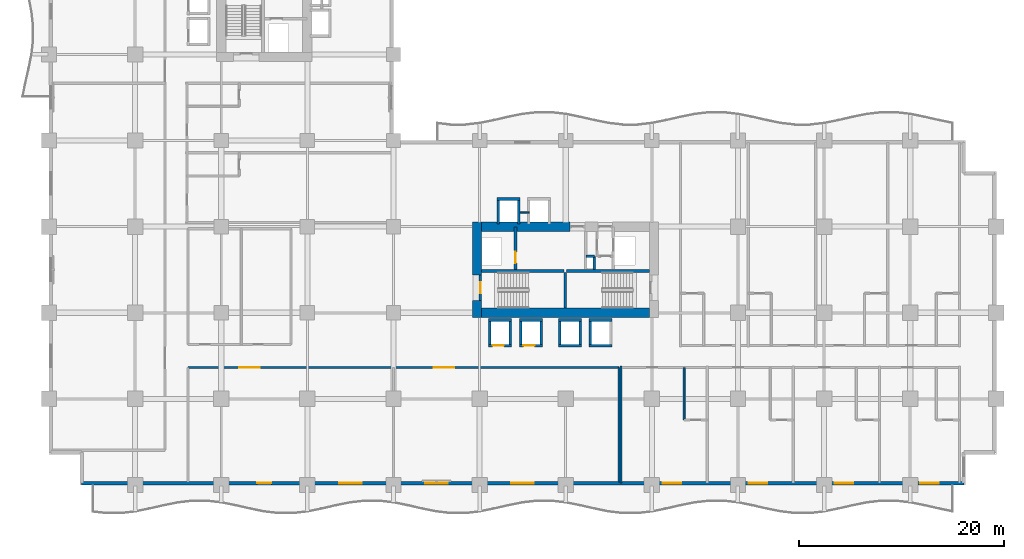
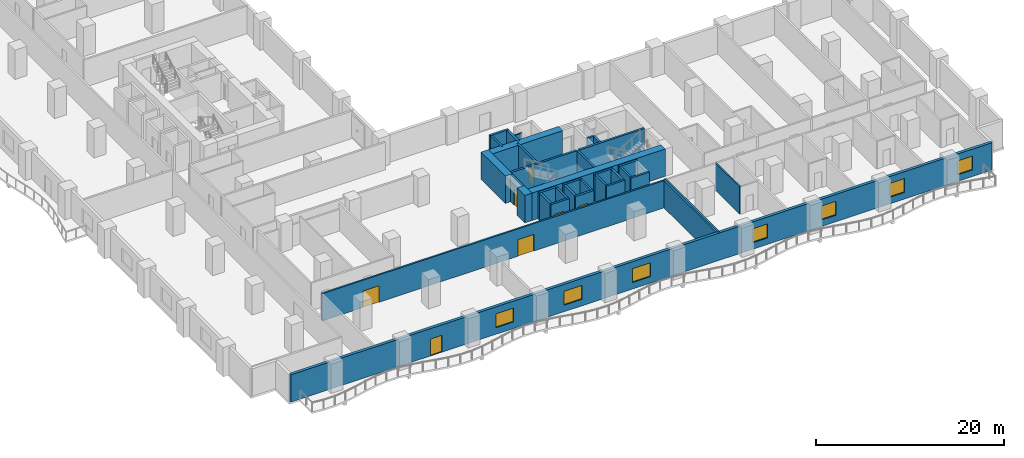
# One storey, part 5 of 18: 35 walls, 7 doors, 7 windows, 14 openings.
"""IFC4 building model written with IfcOpenShell, lengths in metres."""

from ifc_helpers import new_model, si_unit, direction, frame, frame_2d, origin, place, context, subcontext, project, spatial, rectangle, extrude, material, layer, layer_set, type_object, element, fill, save


model = new_model("IFC4")

# Units and contexts
model_context = context("Model", 3, precision=1e-05, world=origin(), true_north=direction((0.0, 1.0)))
body_context = subcontext(model_context, "Body", "Model", "MODEL_VIEW")
ifc_project = project(units=[si_unit("LENGTHUNIT", "METRE"), si_unit("AREAUNIT", "SQUARE_METRE"), si_unit("VOLUMEUNIT", "CUBIC_METRE"), si_unit("PLANEANGLEUNIT", "RADIAN"), si_unit("MASSUNIT", "GRAM", prefix="KILO")], contexts=[model_context])

# Site, building, storey
site_placement = place(None, origin())
site = spatial("IfcSite", under=ifc_project, at=site_placement, CompositionType="ELEMENT")
building_placement = place(site_placement, origin())
building = spatial("IfcBuilding", under=site, at=building_placement, Name="Koriwani Terraces Tower", CompositionType="ELEMENT")
storey_placement = place(building_placement, frame((0.0, 0.0, 81.39990234375)))
storey = spatial("IfcBuildingStorey", under=building, at=storey_placement, Name="L19", CompositionType="ELEMENT", Elevation=81.39990234375)

# Walls
ifc_material_1 = material(Name="Concrete C60/75", Category="concrete")
ifc_layer_1 = layer(ifc_material_1, 0.89990234375, Name="Concrete C60/75")
ifc_layer_set_1 = layer_set([ifc_layer_1], Name="Concrete C60/75")
wall_type_1 = type_object("IfcWallType", Name="WALL_CORE_RC_900", PredefinedType="SHEAR", material=ifc_layer_set_1)
wall_1_placement = place(storey_placement, frame((41.75, 16.35009765625, 0.0), z_axis=(0.0, 0.0, 1.0), x_axis=(0.0, 1.0, 0.0)))
element("IfcWall", 1, at=wall_1_placement, inside=storey, type_object=wall_type_1, Name="L19 East Split Core Shear Wall W1", PredefinedType="SHEAR", context=body_context, shape_type="SweptSolid", body=[
    extrude(rectangle(XDim=1.64990234375, YDim=0.89990234375, at=frame_2d((0.824951171875, 0.0))), origin(), (0.0, 0.0, 1.0), 3.550048828125),
])
wall_2_placement = place(storey_placement, frame((41.75, 20.5, 0.0), z_axis=(0.0, 0.0, 1.0), x_axis=(0.0, 1.0, 0.0)))
element("IfcWall", 2, at=wall_2_placement, inside=storey, type_object=wall_type_1, Name="L19 East Split Core Shear Wall W2", PredefinedType="SHEAR", context=body_context, shape_type="SweptSolid", body=[
    extrude(rectangle(XDim=5.14990234375, YDim=0.89990234375, at=frame_2d((2.574951171875, 0.0))), origin(), (0.0, 0.0, 1.0), 3.550048828125),
])
wall_3_placement = place(storey_placement, frame((42.199951171875, 16.800048828125, 0.0), z_axis=(0.0, 0.0, 1.0), x_axis=(1.0, 0.0, 0.0)))
element("IfcWall", 3, at=wall_3_placement, inside=storey, type_object=wall_type_1, Name="L19 East Split Core Shear Wall S1", PredefinedType="SHEAR", context=body_context, shape_type="SweptSolid", body=[
    extrude(rectangle(XDim=16.35009765625, YDim=0.89990234375, at=frame_2d((8.175048828125, 0.0))), origin(), (0.0, 0.0, 1.0), 3.550048828125),
])
wall_4_placement = place(storey_placement, frame((42.199951171875, 25.199951171875, 0.0), z_axis=(0.0, 0.0, 1.0), x_axis=(1.0, 0.0, 0.0)))
element("IfcWall", 4, at=wall_4_placement, inside=storey, type_object=wall_type_1, Name="L19 East Split Core Shear Wall N1", PredefinedType="SHEAR", context=body_context, shape_type="SweptSolid", body=[
    extrude(rectangle(XDim=8.60009765625, YDim=0.89990234375, at=frame_2d((4.300048828125, 0.0))), origin(), (0.0, 0.0, 1.0), 3.550048828125),
])

# Wall, openings, doors
ifc_material_2 = material(Name="Autoclaved Cellular Concrete Blockwork", Category="masonry")
ifc_layer_2 = layer(ifc_material_2, 0.199951171875, Name="Autoclaved Cellular Concrete Blockwork")
ifc_layer_set_2 = layer_set([ifc_layer_2], Name="Autoclaved Cellular Concrete Blockwork")
wall_type_2 = type_object("IfcWallType", Name="WALL_CORRIDOR_200", PredefinedType="PARTITIONING", material=ifc_layer_set_2)
wall_5_placement = place(storey_placement, frame((13.550048828125, 11.449951171875, 0.0), z_axis=(0.0, 0.0, 1.0), x_axis=(1.0, 0.0, 0.0)))
wall_5 = element("IfcWall", 5, at=wall_5_placement, inside=storey, type_object=wall_type_2, Name="L19 Interior Wall WZ1CLB-L19", PredefinedType="PARTITIONING", context=body_context, shape_type="SweptSolid", body=[
    extrude(rectangle(XDim=42.050048828125, YDim=0.199951171875, at=frame_2d((21.02490234375, 0.0))), origin(), (0.0, 0.0, 1.0), 3.550048828125),
])
opening_1_placement = place(wall_5_placement, frame((5.0, 0.0, 0.0)))
opening_1 = element("IfcOpeningElement", 6, at=opening_1_placement, cuts=wall_5, Name="Opening D-02", PredefinedType="OPENING", context=body_context, shape_type="SweptSolid", body=[
    extrude(rectangle(XDim=2.0, YDim=2.14990234375, at=frame_2d((1.0, 1.074951171875))), frame((0.0, 0.10986328125, 0.0), z_axis=(0.0, -1.0, 0.0), x_axis=(1.0, 0.0, 0.0)), (0.0, 0.0, 1.0), 0.219970703125),
])
opening_2_placement = place(wall_5_placement, frame((24.0, 0.0, 0.0)))
opening_2 = element("IfcOpeningElement", 7, at=opening_2_placement, cuts=wall_5, Name="Opening D-02", PredefinedType="OPENING", context=body_context, shape_type="SweptSolid", body=[
    extrude(rectangle(XDim=2.0, YDim=2.14990234375, at=frame_2d((1.0, 1.074951171875))), frame((0.0, 0.10986328125, 0.0), z_axis=(0.0, -1.0, 0.0), x_axis=(1.0, 0.0, 0.0)), (0.0, 0.0, 1.0), 0.219970703125),
])
ifc_material_3 = material(Name="Anodised Bronze Aluminium", Category="aluminium")
door_type_1 = type_object("IfcDoorType", Name="DOOR_ENTRANCE_DOUBLE_2000X2400", OperationType="NOTDEFINED", PredefinedType="DOOR", material=ifc_material_3)
door_1_placement = place(opening_1_placement, origin())
door_1 = element("IfcDoor", 8, at=door_1_placement, inside=storey, type_object=door_type_1, Name="L19 Executive Club Lounge Door", OperationType="SINGLE_SWING_LEFT", OverallHeight=2.14990234375, OverallWidth=2.0, PredefinedType="DOOR", context=body_context, shape_type="SweptSolid", body=[
    extrude(rectangle(XDim=2.0, YDim=2.14990234375, at=frame_2d((1.0, 1.074951171875))), frame((0.0, 0.02490234375, 0.0), z_axis=(0.0, -1.0, 0.0), x_axis=(1.0, 0.0, 0.0)), (0.0, 0.0, 1.0), 0.050048828125),
])
fill(opening_1, door_1)
door_2_placement = place(opening_2_placement, origin())
door_2 = element("IfcDoor", 9, at=door_2_placement, inside=storey, type_object=door_type_1, Name="L19 Altitude Dining Salon Door", OperationType="SINGLE_SWING_RIGHT", OverallHeight=2.14990234375, OverallWidth=2.0, PredefinedType="DOOR", context=body_context, shape_type="SweptSolid", body=[
    extrude(rectangle(XDim=2.0, YDim=2.14990234375, at=frame_2d((1.0, 1.074951171875))), frame((0.0, 0.02490234375, 0.0), z_axis=(0.0, -1.0, 0.0), x_axis=(1.0, 0.0, 0.0)), (0.0, 0.0, 1.0), 0.050048828125),
])
fill(opening_2, door_2)

# Walls
ifc_layer_3 = layer(ifc_material_2, 0.219970703125, Name="Autoclaved Cellular Concrete Blockwork")
ifc_layer_set_3 = layer_set([ifc_layer_3], Name="Autoclaved Cellular Concrete Blockwork")
wall_type_3 = type_object("IfcWallType", Name="WALL_DEMISING_220", PredefinedType="PARTITIONING", material=ifc_layer_set_3)
wall_6_placement = place(storey_placement, frame((55.60009765625, 0.300048828125, 0.0), z_axis=(0.0, 0.0, 1.0), x_axis=(0.0, 1.0, 0.0)))
element("IfcWall", 10, at=wall_6_placement, inside=storey, type_object=wall_type_3, Name="L19 Interior Wall WZ1CLBE-L19", PredefinedType="PARTITIONING", context=body_context, shape_type="SweptSolid", body=[
    extrude(rectangle(XDim=11.14990234375, YDim=0.219970703125, at=frame_2d((5.574951171875, 0.0))), origin(), (0.0, 0.0, 1.0), 3.550048828125),
])
wall_7_placement = place(storey_placement, frame((55.800048828125, 0.199951171875, 0.0), z_axis=(0.0, 0.0, 1.0), x_axis=(0.0, 1.0, 0.0)))
element("IfcWall", 11, at=wall_7_placement, inside=storey, type_object=wall_type_3, Name="L19 Interior Wall WDEM-L19-SW-0", PredefinedType="PARTITIONING", context=body_context, shape_type="SweptSolid", body=[
    extrude(rectangle(XDim=11.429931640625, YDim=0.219970703125, at=frame_2d((5.71484375, 0.0))), origin(), (0.0, 0.0, 1.0), 3.550048828125),
])

# Wall, openings, door, windows
ifc_material_4 = material(Name="Concrete C50/60", Category="concrete")
ifc_layer_4 = layer(ifc_material_4, 0.35009765625, Name="Concrete C50/60")
ifc_layer_set_4 = layer_set([ifc_layer_4], Name="Concrete C50/60")
wall_type_4 = type_object("IfcWallType", Name="WALL_EXT_BRUTALIST_350", PredefinedType="STANDARD", material=ifc_layer_set_4)
wall_8_placement = place(storey_placement, frame((89.22509765625, 0.175048828125, 0.0), z_axis=(0.0, 0.0, 1.0), x_axis=(-1.0, 0.0, 0.0)))
wall_8 = element("IfcWall", 12, at=wall_8_placement, inside=storey, type_object=wall_type_4, Name="L19 Fair-Faced Brutalist Exterior Wall (S)", PredefinedType="STANDARD", context=body_context, shape_type="SweptSolid", body=[
    extrude(rectangle(XDim=86.050048828125, YDim=0.35009765625, at=frame_2d((43.02490234375, 0.0))), origin(), (0.0, 0.0, 1.0), 3.550048828125),
])
opening_3_placement = place(wall_8_placement, frame((67.52490234375, 0.0, 0.0)))
opening_3 = element("IfcOpeningElement", 13, at=opening_3_placement, cuts=wall_8, Name="Opening D-09", PredefinedType="OPENING", context=body_context, shape_type="SweptSolid", body=[
    extrude(rectangle(XDim=1.39990234375, YDim=2.199951171875, at=frame_2d((0.699951171875, 1.10009765625))), frame((0.0, 0.18505859375, 0.0), z_axis=(0.0, -1.0, 0.0), x_axis=(1.0, 0.0, 0.0)), (0.0, 0.0, 1.0), 0.3701171875),
])
opening_4_placement = place(wall_8_placement, frame((58.72509765625, 0.0, 0.85009765625)))
opening_4 = element("IfcOpeningElement", 14, at=opening_4_placement, cuts=wall_8, Name="Opening W-01", PredefinedType="OPENING", context=body_context, shape_type="SweptSolid", body=[
    extrude(rectangle(XDim=2.199951171875, YDim=1.800048828125, at=frame_2d((1.10009765625, 0.89990234375))), frame((0.0, 0.18505859375, 0.0), z_axis=(0.0, -1.0, 0.0), x_axis=(1.0, 0.0, 0.0)), (0.0, 0.0, 1.0), 0.3701171875),
])
opening_5_placement = place(wall_8_placement, frame((50.324951171875, 0.0, 0.85009765625)))
opening_5 = element("IfcOpeningElement", 15, at=opening_5_placement, cuts=wall_8, Name="Opening W-01", PredefinedType="OPENING", context=body_context, shape_type="SweptSolid", body=[
    extrude(rectangle(XDim=2.199951171875, YDim=1.800048828125, at=frame_2d((1.10009765625, 0.89990234375))), frame((0.0, 0.18505859375, 0.0), z_axis=(0.0, -1.0, 0.0), x_axis=(1.0, 0.0, 0.0)), (0.0, 0.0, 1.0), 0.3701171875),
])
opening_6_placement = place(wall_8_placement, frame((41.925048828125, 0.0, 0.85009765625)))
opening_6 = element("IfcOpeningElement", 16, at=opening_6_placement, cuts=wall_8, Name="Opening W-01", PredefinedType="OPENING", context=body_context, shape_type="SweptSolid", body=[
    extrude(rectangle(XDim=2.199951171875, YDim=1.800048828125, at=frame_2d((1.10009765625, 0.89990234375))), frame((0.0, 0.18505859375, 0.0), z_axis=(0.0, -1.0, 0.0), x_axis=(1.0, 0.0, 0.0)), (0.0, 0.0, 1.0), 0.3701171875),
])
opening_7_placement = place(wall_8_placement, frame((27.574951171875, 0.0, 0.85009765625)))
opening_7 = element("IfcOpeningElement", 17, at=opening_7_placement, cuts=wall_8, Name="Opening W-04", PredefinedType="OPENING", context=body_context, shape_type="SweptSolid", body=[
    extrude(rectangle(XDim=1.800048828125, YDim=1.800048828125, at=frame_2d((0.89990234375, 0.89990234375))), frame((0.0, 0.18505859375, 0.0), z_axis=(0.0, -1.0, 0.0), x_axis=(1.0, 0.0, 0.0)), (0.0, 0.0, 1.0), 0.3701171875),
])
opening_8_placement = place(wall_8_placement, frame((19.175048828125, 0.0, 0.85009765625)))
opening_8 = element("IfcOpeningElement", 18, at=opening_8_placement, cuts=wall_8, Name="Opening W-04", PredefinedType="OPENING", context=body_context, shape_type="SweptSolid", body=[
    extrude(rectangle(XDim=1.800048828125, YDim=1.800048828125, at=frame_2d((0.89990234375, 0.89990234375))), frame((0.0, 0.18505859375, 0.0), z_axis=(0.0, -1.0, 0.0), x_axis=(1.0, 0.0, 0.0)), (0.0, 0.0, 1.0), 0.3701171875),
])
opening_9_placement = place(wall_8_placement, frame((10.77490234375, 0.0, 0.85009765625)))
opening_9 = element("IfcOpeningElement", 19, at=opening_9_placement, cuts=wall_8, Name="Opening W-04", PredefinedType="OPENING", context=body_context, shape_type="SweptSolid", body=[
    extrude(rectangle(XDim=1.800048828125, YDim=1.800048828125, at=frame_2d((0.89990234375, 0.89990234375))), frame((0.0, 0.18505859375, 0.0), z_axis=(0.0, -1.0, 0.0), x_axis=(1.0, 0.0, 0.0)), (0.0, 0.0, 1.0), 0.3701171875),
])
opening_10_placement = place(wall_8_placement, frame((2.425048828125, 0.0, 0.85009765625)))
opening_10 = element("IfcOpeningElement", 20, at=opening_10_placement, cuts=wall_8, Name="Opening W-04", PredefinedType="OPENING", context=body_context, shape_type="SweptSolid", body=[
    extrude(rectangle(XDim=1.800048828125, YDim=1.800048828125, at=frame_2d((0.89990234375, 0.89990234375))), frame((0.0, 0.18505859375, 0.0), z_axis=(0.0, -1.0, 0.0), x_axis=(1.0, 0.0, 0.0)), (0.0, 0.0, 1.0), 0.3701171875),
])
door_type_2 = type_object("IfcDoorType", Name="DOOR_BALCONY_GLAZED_1400X2200", OperationType="NOTDEFINED", PredefinedType="DOOR", material=ifc_material_3)
door_3_placement = place(opening_3_placement, origin())
door_3 = element("IfcDoor", 21, at=door_3_placement, inside=storey, type_object=door_type_2, Name="L19 South Balcony Glazed Door", OperationType="SINGLE_SWING_LEFT", OverallHeight=2.199951171875, OverallWidth=1.39990234375, PredefinedType="DOOR", context=body_context, shape_type="SweptSolid", body=[
    extrude(rectangle(XDim=1.39990234375, YDim=2.199951171875, at=frame_2d((0.699951171875, 1.10009765625))), frame((0.0, 0.02490234375, 0.0), z_axis=(0.0, -1.0, 0.0), x_axis=(1.0, 0.0, 0.0)), (0.0, 0.0, 1.0), 0.050048828125),
])
fill(opening_3, door_3)
ifc_material_5 = material(Name="Tempered Laminated Low-E Glass", Category="glass")
window_type_1 = type_object("IfcWindowType", Name="WIN_HOTEL_STD_2200X1800", PartitioningType="DOUBLE_PANEL_VERTICAL", PredefinedType="WINDOW", material=ifc_material_5)
window_1_placement = place(opening_4_placement, origin())
window_1 = element("IfcWindow", 22, at=window_1_placement, inside=storey, type_object=window_type_1, Name="L19 Exterior Window (S-9)", OverallHeight=1.800048828125, OverallWidth=2.199951171875, PartitioningType="SINGLE_PANEL", PredefinedType="WINDOW", context=body_context, shape_type="SweptSolid", body=[
    extrude(rectangle(XDim=2.199951171875, YDim=1.800048828125, at=frame_2d((1.10009765625, 0.89990234375))), frame((0.0, 0.030029296875, 0.0), z_axis=(0.0, -1.0, 0.0), x_axis=(1.0, 0.0, 0.0)), (0.0, 0.0, 1.0), 0.06005859375),
])
fill(opening_4, window_1)
window_2_placement = place(opening_5_placement, origin())
window_2 = element("IfcWindow", 23, at=window_2_placement, inside=storey, type_object=window_type_1, Name="L19 Exterior Window (S-12)", OverallHeight=1.800048828125, OverallWidth=2.199951171875, PartitioningType="SINGLE_PANEL", PredefinedType="WINDOW", context=body_context, shape_type="SweptSolid", body=[
    extrude(rectangle(XDim=2.199951171875, YDim=1.800048828125, at=frame_2d((1.10009765625, 0.89990234375))), frame((0.0, 0.030029296875, 0.0), z_axis=(0.0, -1.0, 0.0), x_axis=(1.0, 0.0, 0.0)), (0.0, 0.0, 1.0), 0.06005859375),
])
fill(opening_5, window_2)
window_3_placement = place(opening_6_placement, origin())
window_3 = element("IfcWindow", 24, at=window_3_placement, inside=storey, type_object=window_type_1, Name="L19 Exterior Window (S-15)", OverallHeight=1.800048828125, OverallWidth=2.199951171875, PartitioningType="SINGLE_PANEL", PredefinedType="WINDOW", context=body_context, shape_type="SweptSolid", body=[
    extrude(rectangle(XDim=2.199951171875, YDim=1.800048828125, at=frame_2d((1.10009765625, 0.89990234375))), frame((0.0, 0.030029296875, 0.0), z_axis=(0.0, -1.0, 0.0), x_axis=(1.0, 0.0, 0.0)), (0.0, 0.0, 1.0), 0.06005859375),
])
fill(opening_6, window_3)
window_type_2 = type_object("IfcWindowType", Name="WIN_RES_BED_1800X1800", PartitioningType="DOUBLE_PANEL_VERTICAL", PredefinedType="WINDOW", material=ifc_material_5)
window_4_placement = place(opening_7_placement, origin())
window_4 = element("IfcWindow", 25, at=window_4_placement, inside=storey, type_object=window_type_2, Name="L19 Exterior Window (S-R41)", OverallHeight=1.800048828125, OverallWidth=1.800048828125, PartitioningType="SINGLE_PANEL", PredefinedType="WINDOW", context=body_context, shape_type="SweptSolid", body=[
    extrude(rectangle(XDim=1.800048828125, YDim=1.800048828125, at=frame_2d((0.89990234375, 0.89990234375))), frame((0.0, 0.030029296875, 0.0), z_axis=(0.0, -1.0, 0.0), x_axis=(1.0, 0.0, 0.0)), (0.0, 0.0, 1.0), 0.06005859375),
])
fill(opening_7, window_4)
window_5_placement = place(opening_8_placement, origin())
window_5 = element("IfcWindow", 26, at=window_5_placement, inside=storey, type_object=window_type_2, Name="L19 Exterior Window (S-R43)", OverallHeight=1.800048828125, OverallWidth=1.800048828125, PartitioningType="SINGLE_PANEL", PredefinedType="WINDOW", context=body_context, shape_type="SweptSolid", body=[
    extrude(rectangle(XDim=1.800048828125, YDim=1.800048828125, at=frame_2d((0.89990234375, 0.89990234375))), frame((0.0, 0.030029296875, 0.0), z_axis=(0.0, -1.0, 0.0), x_axis=(1.0, 0.0, 0.0)), (0.0, 0.0, 1.0), 0.06005859375),
])
fill(opening_8, window_5)
window_6_placement = place(opening_9_placement, origin())
window_6 = element("IfcWindow", 27, at=window_6_placement, inside=storey, type_object=window_type_2, Name="L19 Exterior Window (S-R45)", OverallHeight=1.800048828125, OverallWidth=1.800048828125, PartitioningType="SINGLE_PANEL", PredefinedType="WINDOW", context=body_context, shape_type="SweptSolid", body=[
    extrude(rectangle(XDim=1.800048828125, YDim=1.800048828125, at=frame_2d((0.89990234375, 0.89990234375))), frame((0.0, 0.030029296875, 0.0), z_axis=(0.0, -1.0, 0.0), x_axis=(1.0, 0.0, 0.0)), (0.0, 0.0, 1.0), 0.06005859375),
])
fill(opening_9, window_6)
window_7_placement = place(opening_10_placement, origin())
window_7 = element("IfcWindow", 28, at=window_7_placement, inside=storey, type_object=window_type_2, Name="L19 Exterior Window (S-R47)", OverallHeight=1.800048828125, OverallWidth=1.800048828125, PartitioningType="SINGLE_PANEL", PredefinedType="WINDOW", context=body_context, shape_type="SweptSolid", body=[
    extrude(rectangle(XDim=1.800048828125, YDim=1.800048828125, at=frame_2d((0.89990234375, 0.89990234375))), frame((0.0, 0.030029296875, 0.0), z_axis=(0.0, -1.0, 0.0), x_axis=(1.0, 0.0, 0.0)), (0.0, 0.0, 1.0), 0.06005859375),
])
fill(opening_10, window_7)

# Walls
ifc_material_6 = material(Name="Fire-Rated Acoustic Gypsum Partition", Category="masonry")
ifc_layer_5 = layer(ifc_material_6, 0.179931640625, Name="Fire-Rated Acoustic Gypsum Partition")
ifc_layer_set_5 = layer_set([ifc_layer_5], Name="Fire-Rated Acoustic Gypsum Partition")
wall_type_5 = type_object("IfcWallType", Name="WALL_PLUMBING_180", PredefinedType="PLUMBINGWALL", material=ifc_layer_set_5)
wall_9_placement = place(storey_placement, frame((61.949951171875, 6.35009765625, 0.0), z_axis=(0.0, 0.0, 1.0), x_axis=(0.0, 1.0, 0.0)))
element("IfcWall", 29, at=wall_9_placement, inside=storey, type_object=wall_type_5, Name="L19 Interior Wall WBTH2-L19-SW-0", PredefinedType="PLUMBINGWALL", context=body_context, shape_type="SweptSolid", body=[
    extrude(rectangle(XDim=5.099853515625, YDim=0.179931640625, at=frame_2d((2.5498046875, 0.0))), origin(), (0.0, 0.0, 1.0), 3.550048828125),
])
ifc_material_7 = material(Name="Concrete C40/50", Category="concrete")
ifc_layer_6 = layer(ifc_material_7, 0.25, Name="Concrete C40/50")
ifc_layer_set_6 = layer_set([ifc_layer_6], Name="Concrete C40/50")
wall_type_6 = type_object("IfcWallType", Name="WALL_SHAFT_RATED_250", PredefinedType="SOLIDWALL", material=ifc_layer_set_6)
for number, where, z_axis, x_axis, name in (
    (30, (42.199951171875, 20.875, 0.0), (0.0, 0.0, 1.0), (1.0, 0.0, 0.0), "L19 East Split Core Web Wall MID1"),
    (31, (50.5, 20.875, 0.0), (0.0, 0.0, 1.0), (1.0, 0.0, 0.0), "L19 East Split Core Web Wall MID2"),
):
    element("IfcWall", number, at=place(storey_placement, frame(where, z_axis=z_axis, x_axis=x_axis)), inside=storey, type_object=wall_type_6, Name=name, PredefinedType="SOLIDWALL", context=body_context, shape_type="SweptSolid", body=[
        extrude(rectangle(XDim=8.050048828125, YDim=0.25, at=frame_2d((4.02490234375, 0.0))), origin(), (0.0, 0.0, 1.0), 3.550048828125),
    ])
wall_10_placement = place(storey_placement, frame((50.375, 17.25, 0.0), z_axis=(0.0, 0.0, 1.0), x_axis=(0.0, 1.0, 0.0)))
element("IfcWall", 32, at=wall_10_placement, inside=storey, type_object=wall_type_6, Name="L19 East Split Core Stair Dividing Wall", PredefinedType="SOLIDWALL", context=body_context, shape_type="SweptSolid", body=[
    extrude(rectangle(XDim=3.5, YDim=0.25, at=frame_2d((1.75, 0.0))), origin(), (0.0, 0.0, 1.0), 3.550048828125),
])

# Wall, opening, door
wall_11_placement = place(storey_placement, frame((42.074951171875, 18.0, 0.0), z_axis=(0.0, 0.0, 1.0), x_axis=(0.0, 1.0, 0.0)))
wall_11 = element("IfcWall", 33, at=wall_11_placement, inside=storey, type_object=wall_type_6, Name="L19 Interior Wall WIN-CE-L19-STW", PredefinedType="SOLIDWALL", context=body_context, shape_type="SweptSolid", body=[
    extrude(rectangle(XDim=2.5, YDim=0.25, at=frame_2d((1.25, 0.0))), origin(), (0.0, 0.0, 1.0), 3.550048828125),
])
opening_11_placement = place(wall_11_placement, frame((0.699951171875, 0.0, 0.0)))
opening_11 = element("IfcOpeningElement", 34, at=opening_11_placement, cuts=wall_11, Name="Opening D-03", PredefinedType="OPENING", context=body_context, shape_type="SweptSolid", body=[
    extrude(rectangle(XDim=1.10009765625, YDim=2.14990234375, at=frame_2d((0.550048828125, 1.074951171875))), frame((0.0, 0.135009765625, 0.0), z_axis=(0.0, -1.0, 0.0), x_axis=(1.0, 0.0, 0.0)), (0.0, 0.0, 1.0), 0.27001953125),
])
ifc_material_8 = material(Name="Steel ASTM A572 Grade 50", Category="steel")
door_type_3 = type_object("IfcDoorType", Name="DOOR_STAIR_FIRE_1100X2150", OperationType="NOTDEFINED", PredefinedType="DOOR", material=ifc_material_8)
door_4_placement = place(opening_11_placement, origin())
door_4 = element("IfcDoor", 35, at=door_4_placement, inside=storey, type_object=door_type_3, Name="L19 Exit Stair ST-E1 Door", OperationType="SINGLE_SWING_LEFT", OverallHeight=2.14990234375, OverallWidth=1.10009765625, PredefinedType="DOOR", context=body_context, shape_type="SweptSolid", body=[
    extrude(rectangle(XDim=1.10009765625, YDim=2.14990234375, at=frame_2d((0.550048828125, 1.074951171875))), frame((0.0, 0.02490234375, 0.0), z_axis=(0.0, -1.0, 0.0), x_axis=(1.0, 0.0, 0.0)), (0.0, 0.0, 1.0), 0.050048828125),
])
fill(opening_11, door_4)

wall_12_placement = place(storey_placement, frame((45.5, 21.0, 0.0), z_axis=(0.0, 0.0, 1.0), x_axis=(0.0, 1.0, 0.0)))
wall_12 = element("IfcWall", 36, at=wall_12_placement, inside=storey, type_object=wall_type_6, Name="L19 Interior Wall WIN-CE-L19-FE", PredefinedType="SOLIDWALL", context=body_context, shape_type="SweptSolid", body=[
    extrude(rectangle(XDim=4.14990234375, YDim=0.25, at=frame_2d((2.074951171875, 0.0))), origin(), (0.0, 0.0, 1.0), 3.550048828125),
])
opening_12_placement = place(wall_12_placement, frame((0.64990234375, 0.0, 0.0)))
opening_12 = element("IfcOpeningElement", 37, at=opening_12_placement, cuts=wall_12, Name="Opening LD-01", PredefinedType="OPENING", context=body_context, shape_type="SweptSolid", body=[
    extrude(rectangle(XDim=1.10009765625, YDim=2.14990234375, at=frame_2d((0.550048828125, 1.074951171875))), frame((0.0, 0.135009765625, 0.0), z_axis=(0.0, -1.0, 0.0), x_axis=(1.0, 0.0, 0.0)), (0.0, 0.0, 1.0), 0.27001953125),
])
door_type_4 = type_object("IfcDoorType", Name="DOOR_LIFT_LANDING_1100X2200", OperationType="NOTDEFINED", PredefinedType="DOOR", material=ifc_material_8)
door_5_placement = place(opening_12_placement, origin())
door_5 = element("IfcDoor", 38, at=door_5_placement, inside=storey, type_object=door_type_4, Name="L19 Firefighting Lift FE-02 Landing Door", OperationType="SLIDING_TO_LEFT", OverallHeight=2.14990234375, OverallWidth=1.10009765625, PredefinedType="DOOR", context=body_context, shape_type="SweptSolid", body=[
    extrude(rectangle(XDim=1.10009765625, YDim=2.14990234375, at=frame_2d((0.550048828125, 1.074951171875))), frame((0.0, 0.02490234375, 0.0), z_axis=(0.0, -1.0, 0.0), x_axis=(1.0, 0.0, 0.0)), (0.0, 0.0, 1.0), 0.050048828125),
])
fill(opening_12, door_5)

# Walls
wall_13_placement = place(storey_placement, frame((53.199951171875, 21.0, 0.0), z_axis=(0.0, 0.0, 1.0), x_axis=(0.0, 1.0, 0.0)))
element("IfcWall", 39, at=wall_13_placement, inside=storey, type_object=wall_type_6, Name="L19 Interior Wall WIN-CE-L19-RS1", PredefinedType="SOLIDWALL", context=body_context, shape_type="SweptSolid", body=[
    extrude(rectangle(XDim=1.300048828125, YDim=0.25, at=frame_2d((0.64990234375, 0.0))), origin(), (0.0, 0.0, 1.0), 3.550048828125),
])
wall_14_placement = place(storey_placement, frame((52.360107421875, 22.300048828125, 0.0), z_axis=(0.0, 0.0, 1.0), x_axis=(1.0, 0.0, 0.0)))
element("IfcWall", 40, at=wall_14_placement, inside=storey, type_object=wall_type_6, Name="L19 Interior Wall WIN-CE-L19-RS2", PredefinedType="SOLIDWALL", context=body_context, shape_type="SweptSolid", body=[
    extrude(rectangle(XDim=0.83984375, YDim=0.25, at=frame_2d((0.419921875, 0.0))), origin(), (0.0, 0.0, 1.0), 3.550048828125),
])

# Wall, opening, door
wall_15_placement = place(storey_placement, frame((42.875, 13.60009765625, 0.0), z_axis=(0.0, 0.0, 1.0), x_axis=(1.0, 0.0, 0.0)))
wall_15 = element("IfcWall", 41, at=wall_15_placement, inside=storey, type_object=wall_type_6, Name="L19 Interior Wall WIN-LF-PE-L3-L19-F", PredefinedType="SOLIDWALL", context=body_context, shape_type="SweptSolid", body=[
    extrude(rectangle(XDim=2.25, YDim=0.25, at=frame_2d((1.125, 0.0))), origin(), (0.0, 0.0, 1.0), 3.550048828125),
])
opening_13_placement = place(wall_15_placement, frame((0.39990234375, 0.0, 0.0)))
opening_13 = element("IfcOpeningElement", 42, at=opening_13_placement, cuts=wall_15, Name="Opening LD-01", PredefinedType="OPENING", context=body_context, shape_type="SweptSolid", body=[
    extrude(rectangle(XDim=1.10009765625, YDim=2.14990234375, at=frame_2d((0.550048828125, 1.074951171875))), frame((0.0, 0.135009765625, 0.0), z_axis=(0.0, -1.0, 0.0), x_axis=(1.0, 0.0, 0.0)), (0.0, 0.0, 1.0), 0.27001953125),
])
door_6_placement = place(opening_13_placement, origin())
door_6 = element("IfcDoor", 43, at=door_6_placement, inside=storey, type_object=door_type_4, Name="L19 Passenger Lift PE-L3 Landing Door", OperationType="SLIDING_TO_LEFT", OverallHeight=2.14990234375, OverallWidth=1.10009765625, PredefinedType="DOOR", context=body_context, shape_type="SweptSolid", body=[
    extrude(rectangle(XDim=1.10009765625, YDim=2.14990234375, at=frame_2d((0.550048828125, 1.074951171875))), frame((0.0, 0.02490234375, 0.0), z_axis=(0.0, -1.0, 0.0), x_axis=(1.0, 0.0, 0.0)), (0.0, 0.0, 1.0), 0.050048828125),
])
fill(opening_13, door_6)

# Walls
for number, where, z_axis, x_axis, name in (
    (44, (42.875, 16.10009765625, 0.0), (0.0, 0.0, 1.0), (1.0, 0.0, 0.0), "L19 Interior Wall WIN-LF-PE-L3-L19-B"),
    (45, (43.0, 13.72509765625, 0.0), (0.0, 0.0, 1.0), (0.0, 1.0, 0.0), "L19 Interior Wall WIN-LF-PE-L3-L19-W"),
    (46, (45.0, 13.72509765625, 0.0), (0.0, 0.0, 1.0), (0.0, 1.0, 0.0), "L19 Interior Wall WIN-LF-PE-L3-L19-E"),
):
    element("IfcWall", number, at=place(storey_placement, frame(where, z_axis=z_axis, x_axis=x_axis)), inside=storey, type_object=wall_type_6, Name=name, PredefinedType="SOLIDWALL", context=body_context, shape_type="SweptSolid", body=[
        extrude(rectangle(XDim=2.25, YDim=0.25, at=frame_2d((1.125, 0.0))), origin(), (0.0, 0.0, 1.0), 3.550048828125),
    ])

# Wall, opening, door
wall_16_placement = place(storey_placement, frame((45.875, 13.60009765625, 0.0), z_axis=(0.0, 0.0, 1.0), x_axis=(1.0, 0.0, 0.0)))
wall_16 = element("IfcWall", 47, at=wall_16_placement, inside=storey, type_object=wall_type_6, Name="L19 Interior Wall WIN-LF-PE-L4-L19-F", PredefinedType="SOLIDWALL", context=body_context, shape_type="SweptSolid", body=[
    extrude(rectangle(XDim=2.25, YDim=0.25, at=frame_2d((1.125, 0.0))), origin(), (0.0, 0.0, 1.0), 3.550048828125),
])
opening_14_placement = place(wall_16_placement, frame((0.39990234375, 0.0, 0.0)))
opening_14 = element("IfcOpeningElement", 48, at=opening_14_placement, cuts=wall_16, Name="Opening LD-01", PredefinedType="OPENING", context=body_context, shape_type="SweptSolid", body=[
    extrude(rectangle(XDim=1.10009765625, YDim=2.14990234375, at=frame_2d((0.550048828125, 1.074951171875))), frame((0.0, 0.135009765625, 0.0), z_axis=(0.0, -1.0, 0.0), x_axis=(1.0, 0.0, 0.0)), (0.0, 0.0, 1.0), 0.27001953125),
])
door_7_placement = place(opening_14_placement, origin())
door_7 = element("IfcDoor", 49, at=door_7_placement, inside=storey, type_object=door_type_4, Name="L19 Passenger Lift PE-L4 Landing Door", OperationType="SLIDING_TO_LEFT", OverallHeight=2.14990234375, OverallWidth=1.10009765625, PredefinedType="DOOR", context=body_context, shape_type="SweptSolid", body=[
    extrude(rectangle(XDim=1.10009765625, YDim=2.14990234375, at=frame_2d((0.550048828125, 1.074951171875))), frame((0.0, 0.02490234375, 0.0), z_axis=(0.0, -1.0, 0.0), x_axis=(1.0, 0.0, 0.0)), (0.0, 0.0, 1.0), 0.050048828125),
])
fill(opening_14, door_7)

# Walls
for number, where, z_axis, x_axis, name in (
    (50, (45.875, 16.10009765625, 0.0), (0.0, 0.0, 1.0), (1.0, 0.0, 0.0), "L19 Interior Wall WIN-LF-PE-L4-L19-B"),
    (51, (46.0, 13.72509765625, 0.0), (0.0, 0.0, 1.0), (0.0, 1.0, 0.0), "L19 Interior Wall WIN-LF-PE-L4-L19-W"),
    (52, (48.0, 13.72509765625, 0.0), (0.0, 0.0, 1.0), (0.0, 1.0, 0.0), "L19 Interior Wall WIN-LF-PE-L4-L19-E"),
    (53, (49.675048828125, 13.60009765625, 0.0), (0.0, 0.0, 1.0), (1.0, 0.0, 0.0), "L19 Interior Wall WIN-LF-PE-M3-L19-F"),
    (54, (49.675048828125, 16.10009765625, 0.0), (0.0, 0.0, 1.0), (1.0, 0.0, 0.0), "L19 Interior Wall WIN-LF-PE-M3-L19-B"),
    (55, (49.800048828125, 13.72509765625, 0.0), (0.0, 0.0, 1.0), (0.0, 1.0, 0.0), "L19 Interior Wall WIN-LF-PE-M3-L19-W"),
    (56, (51.800048828125, 13.72509765625, 0.0), (0.0, 0.0, 1.0), (0.0, 1.0, 0.0), "L19 Interior Wall WIN-LF-PE-M3-L19-E"),
    (57, (52.675048828125, 13.60009765625, 0.0), (0.0, 0.0, 1.0), (1.0, 0.0, 0.0), "L19 Interior Wall WIN-LF-PE-M4-L19-F"),
    (58, (52.675048828125, 16.10009765625, 0.0), (0.0, 0.0, 1.0), (1.0, 0.0, 0.0), "L19 Interior Wall WIN-LF-PE-M4-L19-B"),
    (59, (52.800048828125, 13.72509765625, 0.0), (0.0, 0.0, 1.0), (0.0, 1.0, 0.0), "L19 Interior Wall WIN-LF-PE-M4-L19-W"),
    (60, (43.675048828125, 27.89990234375, 0.0), (0.0, 0.0, 1.0), (1.0, 0.0, 0.0), "L19 Interior Wall WIN-LF-PE-H3-L19-F"),
):
    element("IfcWall", number, at=place(storey_placement, frame(where, z_axis=z_axis, x_axis=x_axis)), inside=storey, type_object=wall_type_6, Name=name, PredefinedType="SOLIDWALL", context=body_context, shape_type="SweptSolid", body=[
        extrude(rectangle(XDim=2.25, YDim=0.25, at=frame_2d((1.125, 0.0))), origin(), (0.0, 0.0, 1.0), 3.550048828125),
    ])
for number, where, z_axis, x_axis, name in (
    (61, (43.800048828125, 25.449951171875, 0.0), (0.0, 0.0, 1.0), (0.0, 1.0, 0.0), "L19 Interior Wall WIN-LF-PE-H3-L19-W"),
    (62, (45.800048828125, 25.449951171875, 0.0), (0.0, 0.0, 1.0), (0.0, 1.0, 0.0), "L19 Interior Wall WIN-LF-PE-H3-L19-E"),
):
    element("IfcWall", number, at=place(storey_placement, frame(where, z_axis=z_axis, x_axis=x_axis)), inside=storey, type_object=wall_type_6, Name=name, PredefinedType="SOLIDWALL", context=body_context, shape_type="SweptSolid", body=[
        extrude(rectangle(XDim=2.324951171875, YDim=0.25, at=frame_2d((1.16259765625, 0.0))), origin(), (0.0, 0.0, 1.0), 3.550048828125),
    ])
ifc_layer_7 = layer(ifc_material_6, 0.159912109375, Name="Fire-Rated Acoustic Gypsum Partition")
ifc_layer_set_7 = layer_set([ifc_layer_7], Name="Fire-Rated Acoustic Gypsum Partition")
wall_type_7 = type_object("IfcWallType", Name="WALL_SUITE_160", PredefinedType="PARTITIONING", material=ifc_layer_set_7)
wall_17_placement = place(storey_placement, frame((45.9599609375, 26.60009765625, 0.0), z_axis=(0.0, 0.0, 1.0), x_axis=(1.0, 0.0, 0.0)))
element("IfcWall", 63, at=wall_17_placement, inside=storey, type_object=wall_type_7, Name="L19 Interior Wall WIN-LF-PEH34-MID-L19", PredefinedType="PARTITIONING", context=body_context, shape_type="SweptSolid", body=[
    extrude(rectangle(XDim=0.880126953125, YDim=0.159912109375, at=frame_2d((0.43994140625, 0.0))), origin(), (0.0, 0.0, 1.0), 3.550048828125),
])

save(model, "model.ifc")
